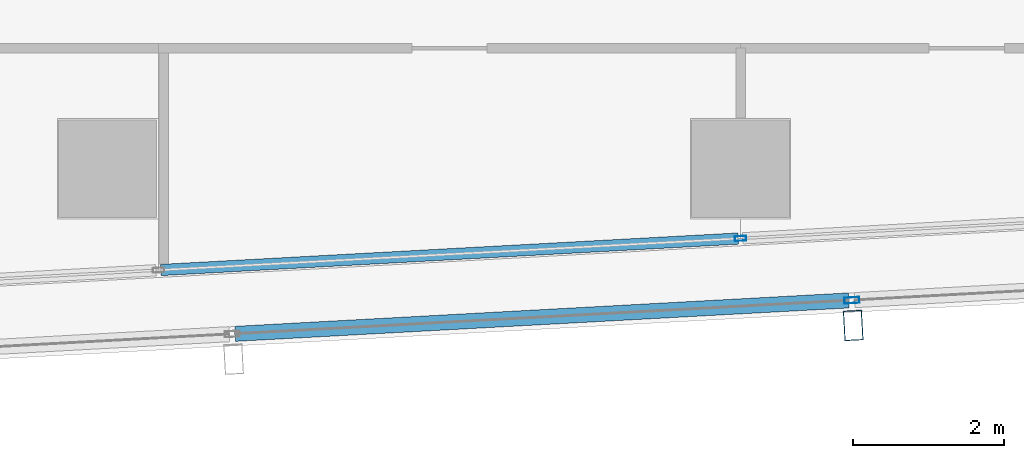
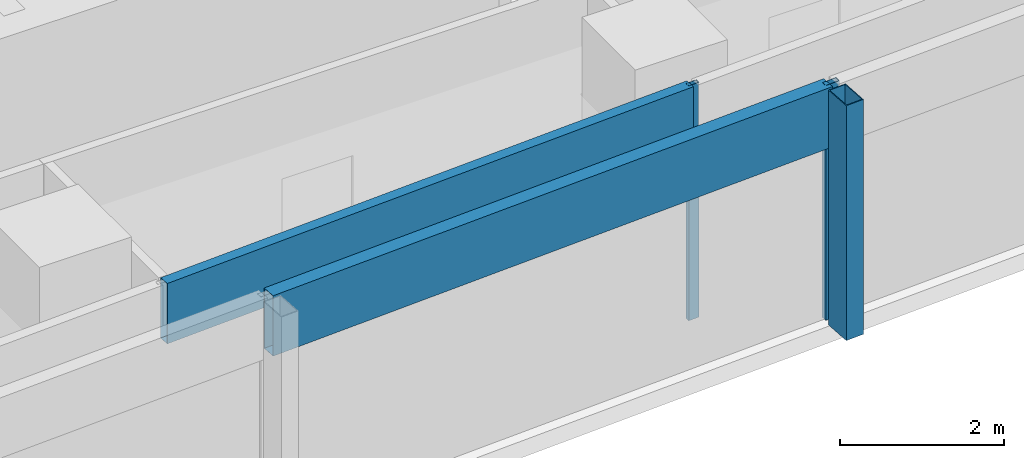
# One storey, part 10 of 29: 5 members, 2 elements without a shape of their own.
"""IFC4 building model written with IfcOpenShell, lengths in metres."""

from ifc_helpers import new_model, si_unit, direction, frame, origin, origin_2d, place, context, subcontext, project, spatial, hollow_rectangle, extrude, material, material_profile, profile_set, type_object, element, aggregate, save


model = new_model("IFC4")

# Units and contexts
model_context = context("Model", 3, precision=1e-05, world=origin(), true_north=direction((0.0, 1.0)))
body_context = subcontext(model_context, "Body", "Model", "MODEL_VIEW")
ifc_project = project(units=[si_unit("LENGTHUNIT", "METRE"), si_unit("AREAUNIT", "SQUARE_METRE"), si_unit("VOLUMEUNIT", "CUBIC_METRE"), si_unit("PLANEANGLEUNIT", "RADIAN"), si_unit("MASSUNIT", "GRAM", prefix="KILO")], contexts=[model_context])

# Site, building, storey
site_placement = place(None, origin())
site = spatial("IfcSite", under=ifc_project, at=site_placement, CompositionType="ELEMENT")
building_placement = place(site_placement, origin())
building = spatial("IfcBuilding", under=site, at=building_placement, Name="Rekha Terrace Tower", CompositionType="ELEMENT")
storey_placement = place(building_placement, frame((0.0, 0.0, 276.35009765625)))
storey = spatial("IfcBuildingStorey", under=building, at=storey_placement, Name="L70", CompositionType="ELEMENT", Elevation=276.35009765625)

# Curtain wall, member
ifc_material_1 = material(Name="Aluminium framing", Category="aluminium")
curtain_wall_type_1 = type_object("IfcCurtainWallType", Name="CW2 double skin outer glazing", PredefinedType="USERDEFINED", material=ifc_material_1)
curtain_wall_1_placement = place(storey_placement, origin())
curtain_wall_1 = element("IfcCurtainWall", 1, at=curtain_wall_1_placement, inside=storey, type_object=curtain_wall_type_1, Name="CW2 double skin outer glazing", ObjectType="DOUBLE SKIN OUTER GLAZING", PredefinedType="USERDEFINED")
ifc_material_2 = material(Name="Steel S355 with fluorocarbon finish", Category="steel")
ifc_material_profile_1 = material_profile(ifc_material_2, hollow_rectangle(XDim=0.25, YDim=0.39990234375, WallThickness=0.012451171875, at=origin_2d()), Name="RHS400x250x12.5")
ifc_profile_set_1 = profile_set([ifc_material_profile_1], Name="Steel S355 with fluorocarbon finish")
member_type_1 = type_object("IfcMemberType", Name="BL1 facade blade RHS 400 x 250", PredefinedType="USERDEFINED", material=ifc_profile_set_1)
member_1_placement = place(storey_placement, frame((51.894775390625, 14.719482421875, 0.0), z_axis=(0.0, 0.0, 1.0), x_axis=(0.99851982155, 0.054389024366, 0.0)))
member_1 = element("IfcMember", 2, at=member_1_placement, type_object=member_type_1, Name="Facade blade", ObjectType="FACADE BLADE", PredefinedType="USERDEFINED", context=body_context, shape_type="SweptSolid", body=[
    extrude(hollow_rectangle(XDim=0.25, YDim=0.39990234375, WallThickness=0.012451171875, at=origin_2d()), origin(), (0.0, 0.0, 1.0), 3.5),
])

# Curtain wall, members
curtain_wall_type_2 = type_object("IfcCurtainWallType", Name="CW1 double skin inner glazing", PredefinedType="USERDEFINED", material=ifc_material_1)
curtain_wall_2_placement = place(storey_placement, origin())
curtain_wall_2 = element("IfcCurtainWall", 3, at=curtain_wall_2_placement, inside=storey, type_object=curtain_wall_type_2, Name="CW1 double skin inner glazing", ObjectType="DOUBLE SKIN INNER GLAZING", PredefinedType="USERDEFINED")
ifc_material_3 = material(Name="Aluminium mullion section", Category="aluminium")
ifc_material_profile_2 = material_profile(ifc_material_3, hollow_rectangle(XDim=0.06494140625, YDim=0.14990234375, WallThickness=0.00390625, at=origin_2d()), Name="AL RHS 65x150")
ifc_profile_set_2 = profile_set([ifc_material_profile_2], Name="Aluminium mullion section")
member_type_2 = type_object("IfcMemberType", Name="CW1 mullion RHS 65 x 150", PredefinedType="MULLION", material=ifc_profile_set_2)
member_2_placement = place(storey_placement, frame((50.399169921875, 15.875, 0.0), z_axis=(0.0, 0.0, 1.0), x_axis=(-0.054388903036, 0.998519828159, 0.0)))
member_2 = element("IfcMember", 4, at=member_2_placement, type_object=member_type_2, Name="CW1 mullion 4", PredefinedType="MULLION", context=body_context, shape_type="SweptSolid", body=[
    extrude(hollow_rectangle(XDim=0.06494140625, YDim=0.14990234375, WallThickness=0.00390625, at=origin_2d()), origin(), (0.0, 0.0, 1.0), 3.5),
])
ifc_material_4 = material(Name="Insulated aluminium spandrel box", Category="aluminium")
ifc_material_profile_3 = material_profile(ifc_material_4, hollow_rectangle(XDim=0.14990234375, YDim=0.89990234375, WallThickness=0.0029296875, at=origin_2d()), Name="AL SPANDREL BOX 150x900")
ifc_profile_set_3 = profile_set([ifc_material_profile_3], Name="Insulated aluminium spandrel box")
member_type_3 = type_object("IfcMemberType", Name="CW1 spandrel transom 150 x 900", PredefinedType="USERDEFINED", material=ifc_profile_set_3)
member_3_placement = place(storey_placement, frame((42.7060546875, 15.4560546875, 3.0498046875), z_axis=(0.998520078442, 0.054384307925, 0.0), x_axis=(-0.054384307925, 0.998520078442, 0.0)))
member_3 = element("IfcMember", 5, at=member_3_placement, type_object=member_type_3, Name="CW1 spandrel transom 3", ObjectType="TRANSOM", PredefinedType="USERDEFINED", context=body_context, shape_type="SweptSolid", body=[
    extrude(hollow_rectangle(XDim=0.14990234375, YDim=0.89990234375, WallThickness=0.0029296875, at=origin_2d()), origin(), (0.0, 0.0, 1.0), 7.672119140625),
])
aggregate(curtain_wall_2, [member_2, member_3])

# Member
ifc_material_profile_4 = material_profile(ifc_material_3, hollow_rectangle(XDim=0.080078125, YDim=0.199951171875, WallThickness=0.00390625, at=origin_2d()), Name="AL RHS 80x200")
ifc_profile_set_4 = profile_set([ifc_material_profile_4], Name="Aluminium mullion section")
member_type_4 = type_object("IfcMemberType", Name="CW2 mullion RHS 80 x 200", PredefinedType="MULLION", material=ifc_profile_set_4)
member_4_placement = place(storey_placement, frame((51.87646484375, 15.05419921875, 0.0), z_axis=(0.0, 0.0, 1.0), x_axis=(-0.054388903071, 0.998519828157, 0.0)))
member_4 = element("IfcMember", 6, at=member_4_placement, type_object=member_type_4, Name="CW2 mullion 4", PredefinedType="MULLION", context=body_context, shape_type="SweptSolid", body=[
    extrude(hollow_rectangle(XDim=0.080078125, YDim=0.199951171875, WallThickness=0.00390625, at=origin_2d()), origin(), (0.0, 0.0, 1.0), 3.5),
])

ifc_material_profile_5 = material_profile(ifc_material_4, hollow_rectangle(XDim=0.199951171875, YDim=0.89990234375, WallThickness=0.0029296875, at=origin_2d()), Name="AL SPANDREL BOX 200x900")
ifc_profile_set_5 = profile_set([ifc_material_profile_5], Name="Insulated aluminium spandrel box")
member_type_5 = type_object("IfcMemberType", Name="CW2 spandrel transom 200 x 900", PredefinedType="USERDEFINED", material=ifc_profile_set_5)
member_5_placement = place(storey_placement, frame((43.693115234375, 14.6083984375, 3.0498046875), z_axis=(0.998519642092, 0.054392318914, 0.0), x_axis=(-0.054392318914, 0.998519642092, 0.0)))
member_5 = element("IfcMember", 7, at=member_5_placement, type_object=member_type_5, Name="CW2 spandrel transom 3", ObjectType="TRANSOM", PredefinedType="USERDEFINED", context=body_context, shape_type="SweptSolid", body=[
    extrude(hollow_rectangle(XDim=0.199951171875, YDim=0.89990234375, WallThickness=0.0029296875, at=origin_2d()), origin(), (0.0, 0.0, 1.0), 8.155517578125),
])

aggregate(curtain_wall_1, [member_4, member_5, member_1])

save(model, "model.ifc")
